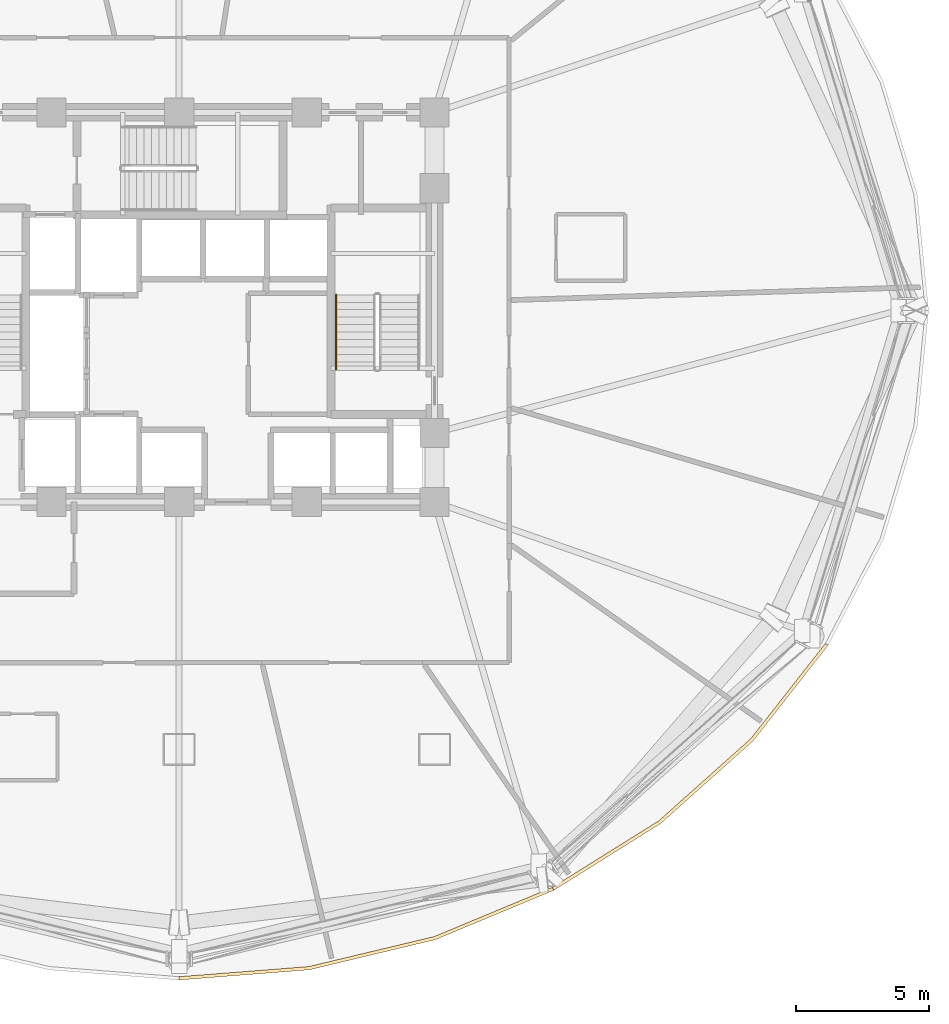
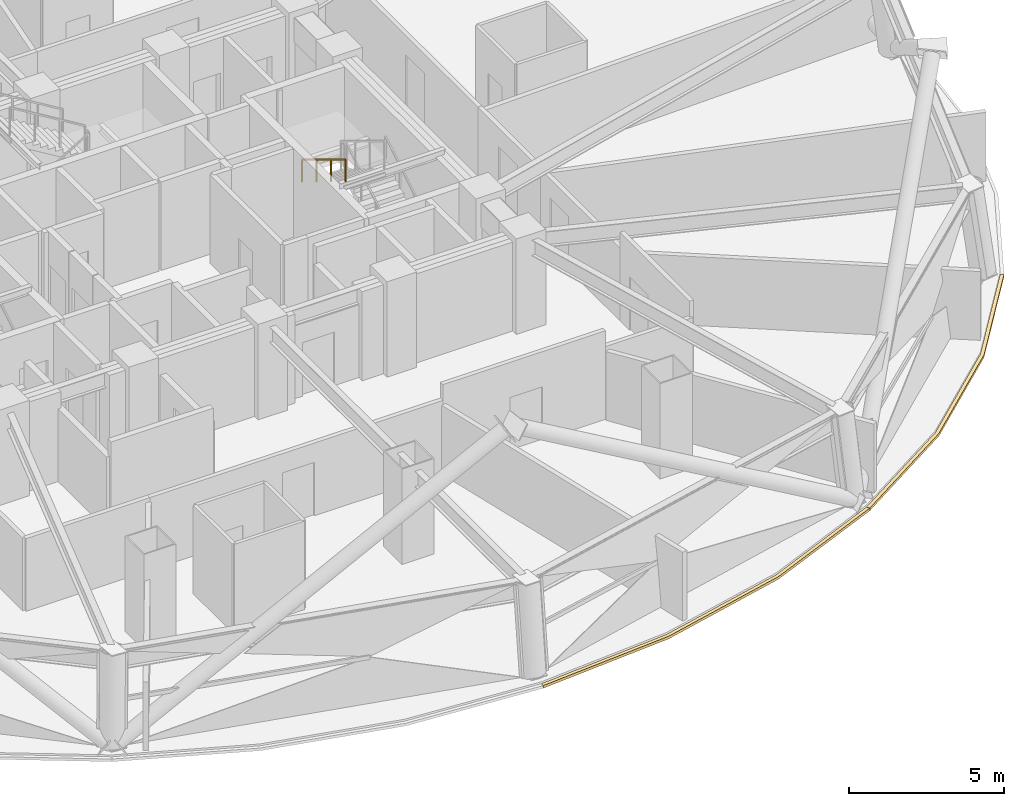
# One storey, part 11 of 13: 2 coverings, 1 railing.
"""IFC4 building model written with IfcOpenShell, lengths in metres."""

from ifc_helpers import new_model, si_unit, direction, frame, origin, origin_2d, place, context, subcontext, project, spatial, polyline, rectangle, outline, extrude, material, layer, layer_set, type_object, element, save


model = new_model("IFC4")

# Units and contexts
model_context = context("Model", 3, precision=1e-05, world=origin(), true_north=direction((0.0, 1.0)))
body_context = subcontext(model_context, "Body", "Model", "MODEL_VIEW")
ifc_project = project(units=[si_unit("LENGTHUNIT", "METRE"), si_unit("AREAUNIT", "SQUARE_METRE"), si_unit("VOLUMEUNIT", "CUBIC_METRE"), si_unit("PLANEANGLEUNIT", "RADIAN"), si_unit("MASSUNIT", "GRAM", prefix="KILO")], contexts=[model_context])

# Site, building, storey
site_placement = place(None, origin())
site = spatial("IfcSite", under=ifc_project, at=site_placement, CompositionType="ELEMENT")
building_placement = place(site_placement, origin())
building = spatial("IfcBuilding", under=site, at=building_placement, Name="Vantalir Tower", CompositionType="ELEMENT")
storey_placement = place(building_placement, frame((0.0, 0.0, 87.0)))
storey = spatial("IfcBuildingStorey", under=building, at=storey_placement, Name="L21", CompositionType="ELEMENT", Elevation=87.0)

# Coverings
ifc_material_1 = material(Name="Anodised champagne aluminium sill fascia", Category="aluminium")
ifc_layer = layer(ifc_material_1, 0.125)
ifc_layer_set = layer_set([ifc_layer], Name="Anodised champagne aluminium sill fascia")
covering_type = type_object("IfcCoveringType", Name="COV-SLAB-FASCIA-125", PredefinedType="CLADDING", material=ifc_layer_set)
covering_1_placement = place(storey_placement, frame((0.0, 0.0, -0.179931640625)))
element("IfcCovering", 1, at=covering_1_placement, inside=storey, type_object=covering_type, Name="L21 Perimeter Slab-Edge Sill Fascia 10", PredefinedType="CLADDING", context=body_context, shape_type="SweptSolid", body=[
    extrude(outline(polyline([(31.5, -0.169921875), (36.39306640625, 0.2119140625), (41.135986328125, 1.347900390625), (45.587890625, 3.201904296875), (45.52490234375, 3.31005859375), (41.093994140625, 1.465087890625), (36.37109375, 0.3349609375), (31.5, -0.044921875), (31.5, -0.169921875)])), origin(), (0.0, 0.0, 1.0), 0.10498046875),
])
covering_2_placement = place(storey_placement, frame((0.0, 0.0, -0.179931640625)))
element("IfcCovering", 2, at=covering_2_placement, inside=storey, type_object=covering_type, Name="L21 Perimeter Slab-Edge Sill Fascia 11", PredefinedType="CLADDING", context=body_context, shape_type="SweptSolid", body=[
    extrude(outline(polyline([(45.587890625, 3.201904296875), (49.611083984375, 5.718994140625), (53.0830078125, 8.821044921875), (55.89990234375, 12.4150390625), (55.7919921875, 12.47705078125), (52.988037109375, 8.90087890625), (49.530029296875, 5.81396484375), (45.52490234375, 3.31005859375), (45.587890625, 3.201904296875)])), origin(), (0.0, 0.0, 1.0), 0.10498046875),
])

# Railing
ifc_material_2 = material(Name="Brushed stainless steel tubular handrail", Category="steel")
railing_type = type_object("IfcRailingType", Name="RAL-HANDRAIL-900", PredefinedType="HANDRAIL", material=ifc_material_2)
railing_placement = place(storey_placement, frame((37.39990234375, 25.590087890625, 2.04541015625)))
element("IfcRailing", 3, at=railing_placement, inside=storey, type_object=railing_type, Name="L21 ST2 stair handrail 2", PredefinedType="HANDRAIL", context=body_context, shape_type="SweptSolid", body=[
    extrude(rectangle(XDim=0.048095703125, YDim=0.048095703125, at=origin_2d()), frame((0.0, 0.0, 0.8759765625), z_axis=(0.0, -0.854169791009, 0.51999420009), x_axis=(1.0, 0.0, 0.0)), (0.0, 0.0, 1.0), 3.278076171875),
    extrude(rectangle(XDim=0.0419921875, YDim=0.0419921875, at=origin_2d()), origin(), (0.0, 0.0, 1.0), 0.851806640625),
    extrude(rectangle(XDim=0.0419921875, YDim=0.0419921875, at=origin_2d()), frame((0.0, -0.933349609375, 0.568115234375)), (0.0, 0.0, 1.0), 0.851806640625),
    extrude(rectangle(XDim=0.0419921875, YDim=0.0419921875, at=origin_2d()), frame((0.0, -1.86669921875, 1.136474609375)), (0.0, 0.0, 1.0), 0.851806640625),
    extrude(rectangle(XDim=0.0419921875, YDim=0.0419921875, at=origin_2d()), frame((0.0, -2.800048828125, 1.70458984375)), (0.0, 0.0, 1.0), 0.851806640625),
])

save(model, "model.ifc")
